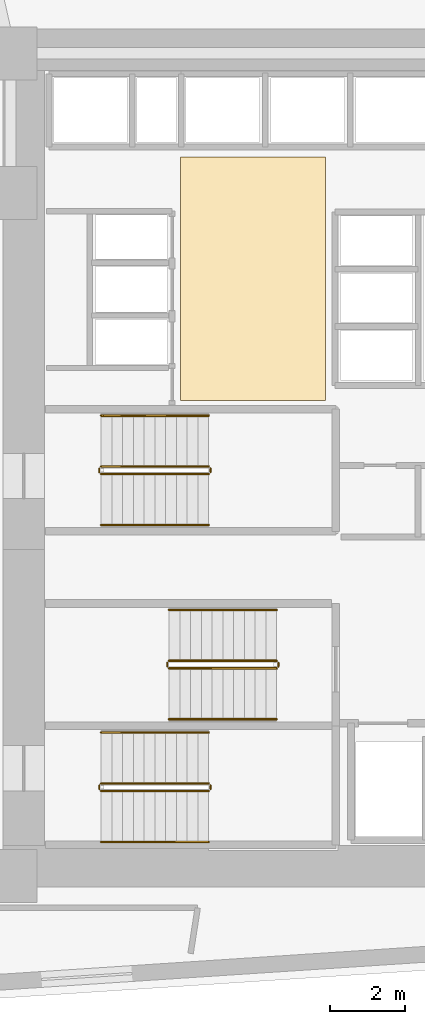
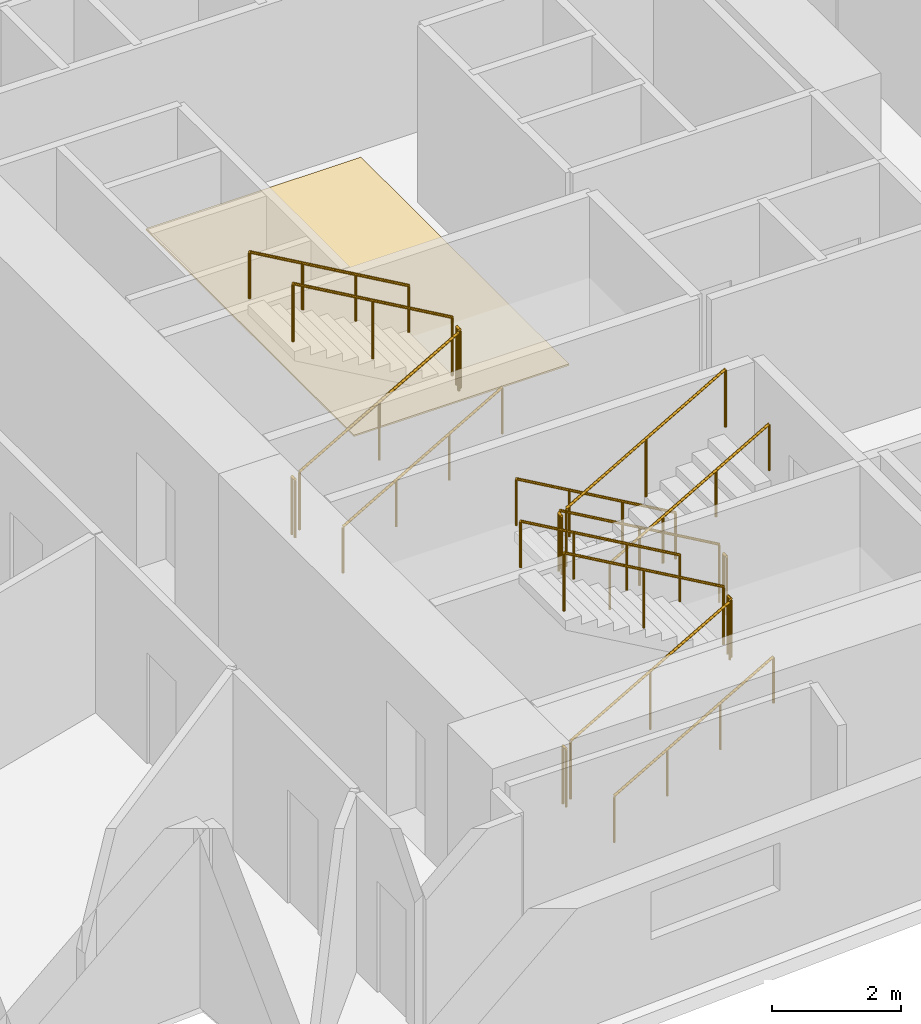
# One storey, part 15 of 16: 18 railings, 1 covering.
"""IFC4 building model written with IfcOpenShell, lengths in metres."""

from ifc_helpers import new_model, si_unit, direction, frame, origin, origin_2d, place, context, subcontext, project, spatial, polyline, circle, outline, extrude, material, layer, layer_set, type_object, element, save


model = new_model("IFC4")

# Units and contexts
model_context = context("Model", 3, precision=1e-05, world=origin(), true_north=direction((0.0, 1.0)))
body_context = subcontext(model_context, "Body", "Model", "MODEL_VIEW")
ifc_project = project(units=[si_unit("LENGTHUNIT", "METRE"), si_unit("AREAUNIT", "SQUARE_METRE"), si_unit("VOLUMEUNIT", "CUBIC_METRE"), si_unit("PLANEANGLEUNIT", "RADIAN"), si_unit("MASSUNIT", "GRAM", prefix="KILO")], contexts=[model_context])

# Site, building, storey
site_placement = place(None, origin())
site = spatial("IfcSite", under=ifc_project, at=site_placement, CompositionType="ELEMENT")
building_placement = place(site_placement, origin())
building = spatial("IfcBuilding", under=site, at=building_placement, Name="Narakoshi Arena Tower", CompositionType="ELEMENT")
storey_placement = place(building_placement, frame((0.0, 0.0, 88.5)))
storey = spatial("IfcBuildingStorey", under=building, at=storey_placement, Name="L23", CompositionType="ELEMENT", Elevation=88.5)

# Covering
ifc_material_1 = material(Name="Honed granite stone paving", Category="masonry")
ifc_layer = layer(ifc_material_1, 0.030029296875)
ifc_layer_set = layer_set([ifc_layer], Name="Honed granite stone paving")
covering_type = type_object("IfcCoveringType", Name="COV-FLR-ST30", PredefinedType="FLOORING", material=ifc_layer_set)
covering_placement = place(storey_placement, origin())
element("IfcCovering", 1, at=covering_placement, inside=storey, type_object=covering_type, Name="L23 Lift Lobby Granite Flooring", PredefinedType="FLOORING", context=body_context, shape_type="SweptSolid", body=[
    extrude(outline(polyline([(76.5, 47.300048828125), (80.35009765625, 47.300048828125), (80.35009765625, 53.75), (76.5, 53.75), (76.5, 47.300048828125)])), origin(), (0.0, 0.0, 1.0), 0.030029296875),
])

# Railings
ifc_material_2 = material(Name="Clear low-iron laminated structural glass", Category="glass")
railing_type_1 = type_object("IfcRailingType", Name="RL-BAL-1100", PredefinedType="BALUSTRADE", material=ifc_material_2)
railing_1_placement = place(storey_placement, frame((74.39990234375, 36.949951171875, 0.16357421875)))
element("IfcRailing", 2, at=railing_1_placement, inside=storey, type_object=railing_type_1, Name="L23 ST1 stair guard 1", PredefinedType="BALUSTRADE", context=body_context, shape_type="SweptSolid", body=[
    extrude(circle(Radius=0.02392578125, at=origin_2d()), frame((0.0, 0.0, 1.09619140625), z_axis=(0.86721270334, 0.0, 0.497937874806), x_axis=(0.0, 1.0, 0.0)), (0.0, 0.0, 1.0), 3.28662109375),
    extrude(circle(Radius=0.02099609375, at=origin_2d()), origin(), (0.0, 0.0, 1.0), 1.072021484375),
    extrude(circle(Radius=0.02099609375, at=origin_2d()), frame((1.425048828125, 0.0, 0.818359375)), (0.0, 0.0, 1.0), 1.072021484375),
    extrude(circle(Radius=0.02099609375, at=origin_2d()), frame((2.85009765625, 0.0, 1.636474609375)), (0.0, 0.0, 1.0), 1.072021484375),
])
railing_2_placement = place(storey_placement, frame((77.300048828125, 37.0, 1.800048828125)))
element("IfcRailing", 3, at=railing_2_placement, inside=storey, type_object=railing_type_1, Name="L23 ST1 stair guard 2", PredefinedType="BALUSTRADE", context=body_context, shape_type="SweptSolid", body=[
    extrude(circle(Radius=0.02392578125, at=origin_2d()), frame((0.0, 0.0, 1.09619140625), z_axis=(0.0, 1.0, 0.0), x_axis=(-1.0, 0.0, 0.0)), (0.0, 0.0, 1.0), 0.10009765625),
    extrude(circle(Radius=0.02099609375, at=origin_2d()), origin(), (0.0, 0.0, 1.0), 1.072021484375),
    extrude(circle(Radius=0.02099609375, at=origin_2d()), frame((0.0, 0.10009765625, 0.0)), (0.0, 0.0, 1.0), 1.072021484375),
])
railing_3_placement = place(storey_placement, frame((77.25, 37.14990234375, 1.963623046875)))
element("IfcRailing", 4, at=railing_3_placement, inside=storey, type_object=railing_type_1, Name="L23 ST1 stair guard 3", PredefinedType="BALUSTRADE", context=body_context, shape_type="SweptSolid", body=[
    extrude(circle(Radius=0.02392578125, at=origin_2d()), frame((0.0, 0.0, 1.09619140625), z_axis=(-0.86721270334, 0.0, 0.497937874806), x_axis=(0.0, -1.0, 0.0)), (0.0, 0.0, 1.0), 3.28662109375),
    extrude(circle(Radius=0.02099609375, at=origin_2d()), origin(), (0.0, 0.0, 1.0), 1.072021484375),
    extrude(circle(Radius=0.02099609375, at=origin_2d()), frame((-1.425048828125, 0.0, 0.818359375)), (0.0, 0.0, 1.0), 1.072021484375),
    extrude(circle(Radius=0.02099609375, at=origin_2d()), frame((-2.85009765625, 0.0, 1.636474609375)), (0.0, 0.0, 1.0), 1.072021484375),
])
railing_4_placement = place(storey_placement, frame((74.35009765625, 37.0, 0.0)))
element("IfcRailing", 5, at=railing_4_placement, inside=storey, type_object=railing_type_1, Name="L23 ST1 stair guard 4", PredefinedType="BALUSTRADE", context=body_context, shape_type="SweptSolid", body=[
    extrude(circle(Radius=0.02392578125, at=origin_2d()), frame((0.0, 0.0, 1.09619140625), z_axis=(0.0, 1.0, 0.0), x_axis=(-1.0, 0.0, 0.0)), (0.0, 0.0, 1.0), 0.10009765625),
    extrude(circle(Radius=0.02099609375, at=origin_2d()), origin(), (0.0, 0.0, 1.0), 1.072021484375),
    extrude(circle(Radius=0.02099609375, at=origin_2d()), frame((0.0, 0.10009765625, 0.0)), (0.0, 0.0, 1.0), 1.072021484375),
])
railing_5_placement = place(storey_placement, frame((79.050048828125, 40.39990234375, 0.16357421875)))
element("IfcRailing", 6, at=railing_5_placement, inside=storey, type_object=railing_type_1, Name="L23 ST2 stair guard 1", PredefinedType="BALUSTRADE", context=body_context, shape_type="SweptSolid", body=[
    extrude(circle(Radius=0.02392578125, at=origin_2d()), frame((0.0, 0.0, 1.09619140625), z_axis=(-0.86721270334, 0.0, 0.497937874806), x_axis=(0.0, -1.0, 0.0)), (0.0, 0.0, 1.0), 3.28662109375),
    extrude(circle(Radius=0.02099609375, at=origin_2d()), origin(), (0.0, 0.0, 1.0), 1.072021484375),
    extrude(circle(Radius=0.02099609375, at=origin_2d()), frame((-1.425048828125, 0.0, 0.818359375)), (0.0, 0.0, 1.0), 1.072021484375),
    extrude(circle(Radius=0.02099609375, at=origin_2d()), frame((-2.85009765625, 0.0, 1.636474609375)), (0.0, 0.0, 1.0), 1.072021484375),
])
railing_6_placement = place(storey_placement, frame((76.14990234375, 40.35009765625, 1.800048828125)))
element("IfcRailing", 7, at=railing_6_placement, inside=storey, type_object=railing_type_1, Name="L23 ST2 stair guard 2", PredefinedType="BALUSTRADE", context=body_context, shape_type="SweptSolid", body=[
    extrude(circle(Radius=0.02392578125, at=origin_2d()), frame((0.0, 0.0, 1.09619140625), z_axis=(0.0, -1.0, 0.0), x_axis=(1.0, 0.0, 0.0)), (0.0, 0.0, 1.0), 0.10009765625),
    extrude(circle(Radius=0.02099609375, at=origin_2d()), origin(), (0.0, 0.0, 1.0), 1.072021484375),
    extrude(circle(Radius=0.02099609375, at=origin_2d()), frame((0.0, -0.10009765625, 0.0)), (0.0, 0.0, 1.0), 1.072021484375),
])
railing_7_placement = place(storey_placement, frame((76.199951171875, 40.199951171875, 1.963623046875)))
element("IfcRailing", 8, at=railing_7_placement, inside=storey, type_object=railing_type_1, Name="L23 ST2 stair guard 3", PredefinedType="BALUSTRADE", context=body_context, shape_type="SweptSolid", body=[
    extrude(circle(Radius=0.02392578125, at=origin_2d()), frame((0.0, 0.0, 1.09619140625), z_axis=(0.86721270334, 0.0, 0.497937874806), x_axis=(0.0, 1.0, 0.0)), (0.0, 0.0, 1.0), 3.28662109375),
    extrude(circle(Radius=0.02099609375, at=origin_2d()), origin(), (0.0, 0.0, 1.0), 1.072021484375),
    extrude(circle(Radius=0.02099609375, at=origin_2d()), frame((1.425048828125, 0.0, 0.818359375)), (0.0, 0.0, 1.0), 1.072021484375),
    extrude(circle(Radius=0.02099609375, at=origin_2d()), frame((2.85009765625, 0.0, 1.636474609375)), (0.0, 0.0, 1.0), 1.072021484375),
])
railing_8_placement = place(storey_placement, frame((79.10009765625, 40.35009765625, 0.0)))
element("IfcRailing", 9, at=railing_8_placement, inside=storey, type_object=railing_type_1, Name="L23 ST2 stair guard 4", PredefinedType="BALUSTRADE", context=body_context, shape_type="SweptSolid", body=[
    extrude(circle(Radius=0.02392578125, at=origin_2d()), frame((0.0, 0.0, 1.09619140625), z_axis=(0.0, -1.0, 0.0), x_axis=(1.0, 0.0, 0.0)), (0.0, 0.0, 1.0), 0.10009765625),
    extrude(circle(Radius=0.02099609375, at=origin_2d()), origin(), (0.0, 0.0, 1.0), 1.072021484375),
    extrude(circle(Radius=0.02099609375, at=origin_2d()), frame((0.0, -0.10009765625, 0.0)), (0.0, 0.0, 1.0), 1.072021484375),
])
railing_9_placement = place(storey_placement, frame((74.39990234375, 45.35009765625, 0.16357421875)))
element("IfcRailing", 10, at=railing_9_placement, inside=storey, type_object=railing_type_1, Name="L23 ST3 stair guard 1", PredefinedType="BALUSTRADE", context=body_context, shape_type="SweptSolid", body=[
    extrude(circle(Radius=0.02392578125, at=origin_2d()), frame((0.0, 0.0, 1.09619140625), z_axis=(0.86721270334, 0.0, 0.497937874806), x_axis=(0.0, 1.0, 0.0)), (0.0, 0.0, 1.0), 3.28662109375),
    extrude(circle(Radius=0.02099609375, at=origin_2d()), origin(), (0.0, 0.0, 1.0), 1.072021484375),
    extrude(circle(Radius=0.02099609375, at=origin_2d()), frame((1.425048828125, 0.0, 0.818359375)), (0.0, 0.0, 1.0), 1.072021484375),
    extrude(circle(Radius=0.02099609375, at=origin_2d()), frame((2.85009765625, 0.0, 1.636474609375)), (0.0, 0.0, 1.0), 1.072021484375),
])
railing_10_placement = place(storey_placement, frame((77.300048828125, 45.39990234375, 1.800048828125)))
element("IfcRailing", 11, at=railing_10_placement, inside=storey, type_object=railing_type_1, Name="L23 ST3 stair guard 2", PredefinedType="BALUSTRADE", context=body_context, shape_type="SweptSolid", body=[
    extrude(circle(Radius=0.02392578125, at=origin_2d()), frame((0.0, 0.0, 1.09619140625), z_axis=(0.0, 1.0, 0.0), x_axis=(-1.0, 0.0, 0.0)), (0.0, 0.0, 1.0), 0.10009765625),
    extrude(circle(Radius=0.02099609375, at=origin_2d()), origin(), (0.0, 0.0, 1.0), 1.072021484375),
    extrude(circle(Radius=0.02099609375, at=origin_2d()), frame((0.0, 0.10009765625, 0.0)), (0.0, 0.0, 1.0), 1.072021484375),
])
railing_11_placement = place(storey_placement, frame((77.25, 45.550048828125, 1.963623046875)))
element("IfcRailing", 12, at=railing_11_placement, inside=storey, type_object=railing_type_1, Name="L23 ST3 stair guard 3", PredefinedType="BALUSTRADE", context=body_context, shape_type="SweptSolid", body=[
    extrude(circle(Radius=0.02392578125, at=origin_2d()), frame((0.0, 0.0, 1.09619140625), z_axis=(-0.86721270334, 0.0, 0.497937874806), x_axis=(0.0, -1.0, 0.0)), (0.0, 0.0, 1.0), 3.28662109375),
    extrude(circle(Radius=0.02099609375, at=origin_2d()), origin(), (0.0, 0.0, 1.0), 1.072021484375),
    extrude(circle(Radius=0.02099609375, at=origin_2d()), frame((-1.425048828125, 0.0, 0.818359375)), (0.0, 0.0, 1.0), 1.072021484375),
    extrude(circle(Radius=0.02099609375, at=origin_2d()), frame((-2.85009765625, 0.0, 1.636474609375)), (0.0, 0.0, 1.0), 1.072021484375),
])
railing_12_placement = place(storey_placement, frame((74.35009765625, 45.39990234375, 0.0)))
element("IfcRailing", 13, at=railing_12_placement, inside=storey, type_object=railing_type_1, Name="L23 ST3 stair guard 4", PredefinedType="BALUSTRADE", context=body_context, shape_type="SweptSolid", body=[
    extrude(circle(Radius=0.02392578125, at=origin_2d()), frame((0.0, 0.0, 1.09619140625), z_axis=(0.0, 1.0, 0.0), x_axis=(-1.0, 0.0, 0.0)), (0.0, 0.0, 1.0), 0.10009765625),
    extrude(circle(Radius=0.02099609375, at=origin_2d()), origin(), (0.0, 0.0, 1.0), 1.072021484375),
    extrude(circle(Radius=0.02099609375, at=origin_2d()), frame((0.0, 0.10009765625, 0.0)), (0.0, 0.0, 1.0), 1.072021484375),
])
ifc_material_3 = material(Name="Brushed bronze stainless steel", Category="steel")
railing_type_2 = type_object("IfcRailingType", Name="RL-HND-900", PredefinedType="HANDRAIL", material=ifc_material_3)
railing_13_placement = place(storey_placement, frame((74.39990234375, 35.60009765625, 0.16357421875)))
element("IfcRailing", 14, at=railing_13_placement, inside=storey, type_object=railing_type_2, Name="L23 ST1 stair handrail 1", PredefinedType="HANDRAIL", context=body_context, shape_type="SweptSolid", body=[
    extrude(circle(Radius=0.02392578125, at=origin_2d()), frame((0.0, 0.0, 0.8759765625), z_axis=(0.86721270334, 0.0, 0.497937874806), x_axis=(0.0, 1.0, 0.0)), (0.0, 0.0, 1.0), 3.28662109375),
    extrude(circle(Radius=0.02099609375, at=origin_2d()), origin(), (0.0, 0.0, 1.0), 0.851806640625),
    extrude(circle(Radius=0.02099609375, at=origin_2d()), frame((0.949951171875, 0.0, 0.54541015625)), (0.0, 0.0, 1.0), 0.851806640625),
    extrude(circle(Radius=0.02099609375, at=origin_2d()), frame((1.900146484375, 0.0, 1.091064453125)), (0.0, 0.0, 1.0), 0.851806640625),
    extrude(circle(Radius=0.02099609375, at=origin_2d()), frame((2.85009765625, 0.0, 1.636474609375)), (0.0, 0.0, 1.0), 0.851806640625),
])
for number, where, name in (
    (15, (77.25, 38.5, 1.963623046875), "L23 ST1 stair handrail 2"),
    (16, (79.050048828125, 41.75, 0.16357421875), "L23 ST2 stair handrail 1"),
):
    element("IfcRailing", number, at=place(storey_placement, frame(where)), inside=storey, type_object=railing_type_2, Name=name, PredefinedType="HANDRAIL", context=body_context, shape_type="SweptSolid", body=[
        extrude(circle(Radius=0.02392578125, at=origin_2d()), frame((0.0, 0.0, 0.8759765625), z_axis=(-0.86721270334, 0.0, 0.497937874806), x_axis=(0.0, -1.0, 0.0)), (0.0, 0.0, 1.0), 3.28662109375),
        extrude(circle(Radius=0.02099609375, at=origin_2d()), origin(), (0.0, 0.0, 1.0), 0.851806640625),
        extrude(circle(Radius=0.02099609375, at=origin_2d()), frame((-0.949951171875, 0.0, 0.54541015625)), (0.0, 0.0, 1.0), 0.851806640625),
        extrude(circle(Radius=0.02099609375, at=origin_2d()), frame((-1.900146484375, 0.0, 1.091064453125)), (0.0, 0.0, 1.0), 0.851806640625),
        extrude(circle(Radius=0.02099609375, at=origin_2d()), frame((-2.85009765625, 0.0, 1.636474609375)), (0.0, 0.0, 1.0), 0.851806640625),
    ])
for number, where, name in (
    (17, (76.199951171875, 38.85009765625, 1.963623046875), "L23 ST2 stair handrail 2"),
    (18, (74.39990234375, 44.0, 0.16357421875), "L23 ST3 stair handrail 1"),
):
    element("IfcRailing", number, at=place(storey_placement, frame(where)), inside=storey, type_object=railing_type_2, Name=name, PredefinedType="HANDRAIL", context=body_context, shape_type="SweptSolid", body=[
        extrude(circle(Radius=0.02392578125, at=origin_2d()), frame((0.0, 0.0, 0.8759765625), z_axis=(0.86721270334, 0.0, 0.497937874806), x_axis=(0.0, 1.0, 0.0)), (0.0, 0.0, 1.0), 3.28662109375),
        extrude(circle(Radius=0.02099609375, at=origin_2d()), origin(), (0.0, 0.0, 1.0), 0.851806640625),
        extrude(circle(Radius=0.02099609375, at=origin_2d()), frame((0.949951171875, 0.0, 0.54541015625)), (0.0, 0.0, 1.0), 0.851806640625),
        extrude(circle(Radius=0.02099609375, at=origin_2d()), frame((1.900146484375, 0.0, 1.091064453125)), (0.0, 0.0, 1.0), 0.851806640625),
        extrude(circle(Radius=0.02099609375, at=origin_2d()), frame((2.85009765625, 0.0, 1.636474609375)), (0.0, 0.0, 1.0), 0.851806640625),
    ])
railing_14_placement = place(storey_placement, frame((77.25, 46.89990234375, 1.963623046875)))
element("IfcRailing", 19, at=railing_14_placement, inside=storey, type_object=railing_type_2, Name="L23 ST3 stair handrail 2", PredefinedType="HANDRAIL", context=body_context, shape_type="SweptSolid", body=[
    extrude(circle(Radius=0.02392578125, at=origin_2d()), frame((0.0, 0.0, 0.8759765625), z_axis=(-0.86721270334, 0.0, 0.497937874806), x_axis=(0.0, -1.0, 0.0)), (0.0, 0.0, 1.0), 3.28662109375),
    extrude(circle(Radius=0.02099609375, at=origin_2d()), origin(), (0.0, 0.0, 1.0), 0.851806640625),
    extrude(circle(Radius=0.02099609375, at=origin_2d()), frame((-0.949951171875, 0.0, 0.54541015625)), (0.0, 0.0, 1.0), 0.851806640625),
    extrude(circle(Radius=0.02099609375, at=origin_2d()), frame((-1.900146484375, 0.0, 1.091064453125)), (0.0, 0.0, 1.0), 0.851806640625),
    extrude(circle(Radius=0.02099609375, at=origin_2d()), frame((-2.85009765625, 0.0, 1.636474609375)), (0.0, 0.0, 1.0), 0.851806640625),
])

save(model, "model.ifc")
